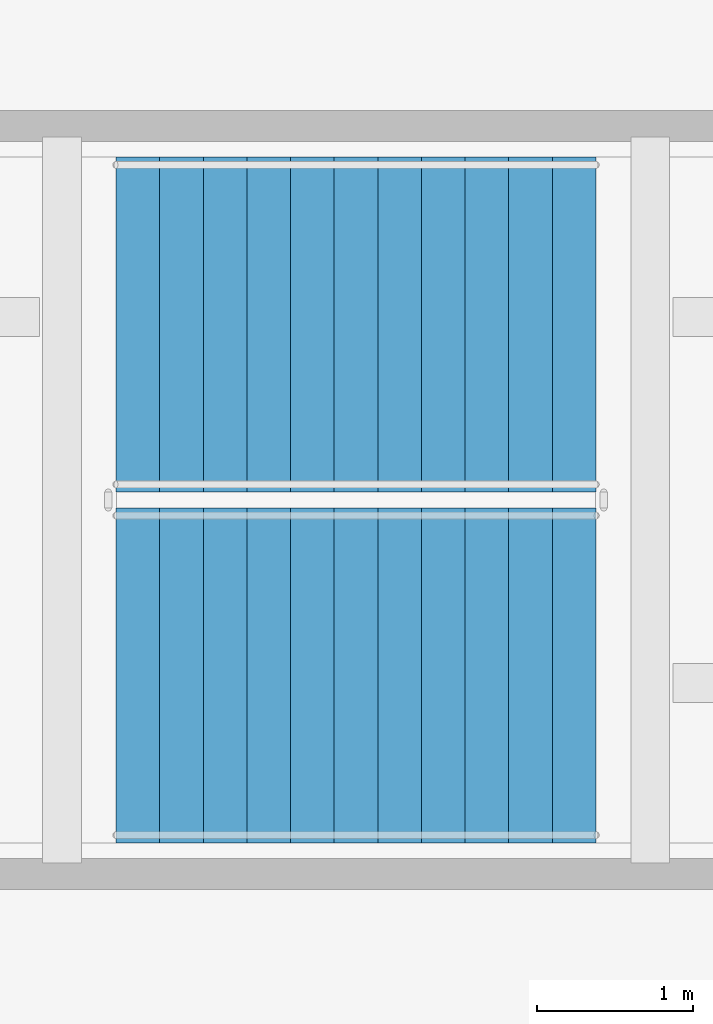
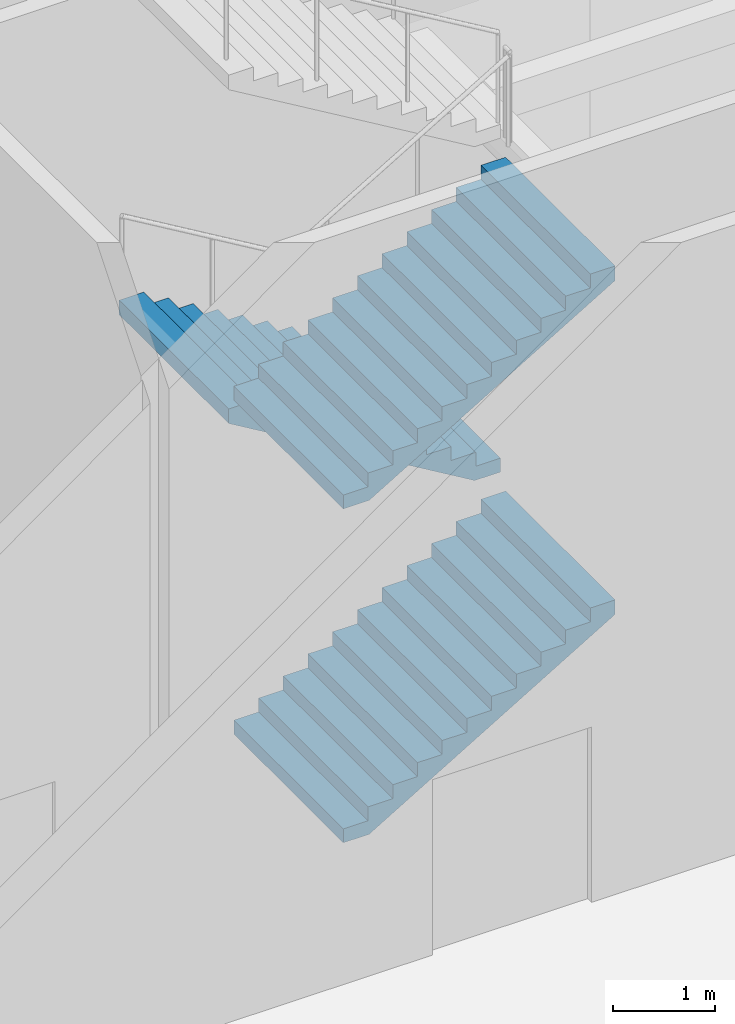
# One storey, part 21 of 30: 3 stair flights, 1 element without a shape of its own.
"""IFC4 building model written with IfcOpenShell, lengths in metres."""

from ifc_helpers import new_model, si_unit, direction, frame, origin, place, context, subcontext, project, spatial, triangles, material, type_object, element, aggregate, save


model = new_model("IFC4")

# Units and contexts
model_context = context("Model", 3, precision=1e-05, world=origin(), true_north=direction((0.0, 1.0)))
body_context = subcontext(model_context, "Body", "Model", "MODEL_VIEW")
ifc_project = project(units=[si_unit("LENGTHUNIT", "METRE"), si_unit("AREAUNIT", "SQUARE_METRE"), si_unit("VOLUMEUNIT", "CUBIC_METRE"), si_unit("PLANEANGLEUNIT", "RADIAN"), si_unit("MASSUNIT", "GRAM", prefix="KILO")], contexts=[model_context])

# Site, building, storey
site_placement = place(None, origin())
site = spatial("IfcSite", under=ifc_project, at=site_placement, CompositionType="ELEMENT")
building_placement = place(site_placement, origin())
building = spatial("IfcBuilding", under=site, at=building_placement, Name="Verdalira Terraces Hotel", CompositionType="ELEMENT")
storey_placement = place(building_placement, origin())
storey = spatial("IfcBuildingStorey", under=building, at=storey_placement, Name="L00", CompositionType="ELEMENT", Elevation=0.0)

# Stair, stair flights
ifc_material_1 = material(Name="Concrete C40", Category="concrete")
stair_type = type_object("IfcStairType", Name="Podium stair 48 risers", PredefinedType="HALF_TURN_STAIR", material=ifc_material_1)
stair_placement = place(storey_placement, origin())
stair = element("IfcStair", 1, at=stair_placement, inside=storey, type_object=stair_type, Name="L00 Exit stair PS1", PredefinedType="HALF_TURN_STAIR")
ifc_material_2 = material(Name="Concrete C40", Category="concrete")
stair_flight_type = type_object("IfcStairFlightType", Name="Podium stair flight 48 risers", PredefinedType="STRAIGHT", material=ifc_material_2)
stair_flight_1_placement = place(storey_placement, frame((-0.75, 37.675049, 0.0), z_axis=(0.0, 0.0, 1.0), x_axis=(1.0, 0.0, 0.0)))
stair_flight_1 = element("IfcStairFlight", 2, at=stair_flight_1_placement, type_object=stair_flight_type, Name="PS1 flight 1", NumberOfRisers=12, NumberOfTreads=11, PredefinedType="STRAIGHT", RiserHeight=0.166666667, TreadLength=0.28, context=body_context, shape_type="Tessellation", body=[
    triangles([(0.0, 1.074951, 0.0), (0.292969, 1.074951, 0.0), (3.080078, 1.074951, 1.658936), (0.0, -1.074951, 0.0), (0.292969, -1.074951, 0.0), (3.080078, -1.074951, 1.658936), (3.080078, 1.074951, 1.833252), (2.800049, 1.074951, 1.833252), (3.080078, -1.074951, 1.833252), (2.800049, -1.074951, 1.833252), (2.800049, 1.074951, 1.666748), (2.800049, -1.074951, 1.666748), (2.52002, 1.074951, 1.666748), (2.52002, -1.074951, 1.666748), (2.52002, 1.074951, 1.5), (2.52002, -1.074951, 1.5), (2.23999, 1.074951, 1.5), (2.23999, 1.074951, 1.333252), (2.23999, -1.074951, 1.5), (2.23999, -1.074951, 1.333252), (1.959961, 1.074951, 1.333252), (1.959961, 1.074951, 1.166748), (1.959961, -1.074951, 1.333252), (1.959961, -1.074951, 1.166748), (1.679932, 1.074951, 1.166748), (1.679932, 1.074951, 1.0), (1.679932, -1.074951, 1.166748), (1.679932, -1.074951, 1.0), (1.399902, 1.074951, 1.0), (1.399902, 1.074951, 0.833252), (1.399902, -1.074951, 1.0), (1.399902, -1.074951, 0.833252), (1.120117, 1.074951, 0.833252), (1.120117, 1.074951, 0.666748), (1.120117, -1.074951, 0.833252), (1.120117, -1.074951, 0.666748), (0.840088, 1.074951, 0.666748), (0.840088, 1.074951, 0.5), (0.840088, -1.074951, 0.666748), (0.840088, -1.074951, 0.5), (0.560059, 1.074951, 0.5), (0.560059, 1.074951, 0.333252), (0.560059, -1.074951, 0.5), (0.560059, -1.074951, 0.333252), (0.280029, 1.074951, 0.333252), (0.280029, 1.074951, 0.166748), (0.280029, -1.074951, 0.333252), (0.280029, -1.074951, 0.166748), (0.0, 1.074951, 0.166748), (0.0, -1.074951, 0.166748), (0.0, -1.007767, 0.0), (0.0, -1.007767, 0.166748), (0.0, -0.940582, 0.0), (0.0, -0.940582, 0.166748), (0.0, -0.873398, 0.0), (0.0, -0.873398, 0.166748), (0.0, -0.806213, 0.0), (0.0, -0.806213, 0.166748), (0.0, -0.739029, 0.0), (0.0, -0.739029, 0.166748), (0.0, -0.671844, 0.0), (0.0, -0.671844, 0.166748), (0.0, -0.60466, 0.0), (0.0, -0.60466, 0.166748), (0.0, -0.537476, 0.0), (0.0, -0.537476, 0.166748), (0.0, -0.470291, 0.0), (0.0, -0.470291, 0.166748), (0.0, -0.403107, 0.0), (0.0, -0.403107, 0.166748), (0.0, -0.335922, 0.0), (0.0, -0.335922, 0.166748), (0.0, -0.268738, 0.0), (0.0, -0.268738, 0.166748), (0.0, -0.201553, 0.0), (0.0, -0.201553, 0.166748), (0.0, -0.134369, 0.0), (0.0, -0.134369, 0.166748), (0.0, -0.067184, 0.0), (0.0, -0.067184, 0.166748), (0.0, 0.0, 0.0), (0.0, 0.0, 0.166748), (0.0, 0.067184, 0.0), (0.0, 0.067184, 0.166748), (0.0, 0.134369, 0.0), (0.0, 0.134369, 0.166748), (0.0, 0.201553, 0.0), (0.0, 0.201553, 0.166748), (0.0, 0.268738, 0.0), (0.0, 0.268738, 0.166748), (0.0, 0.335922, 0.0), (0.0, 0.335922, 0.166748), (0.0, 0.403107, 0.0), (0.0, 0.403107, 0.166748), (0.0, 0.470291, 0.0), (0.0, 0.470291, 0.166748), (0.0, 0.537476, 0.0), (0.0, 0.537476, 0.166748), (0.0, 0.60466, 0.0), (0.0, 0.60466, 0.166748), (0.0, 0.671844, 0.0), (0.0, 0.671844, 0.166748), (0.0, 0.739029, 0.0), (0.0, 0.739029, 0.166748), (0.0, 0.806213, 0.0), (0.0, 0.806213, 0.166748), (0.0, 0.873398, 0.0), (0.0, 0.873398, 0.166748), (0.0, 0.940582, 0.0), (0.0, 0.940582, 0.166748), (0.0, 1.007767, 0.0), (0.0, 1.007767, 0.166748), (3.080078, -1.007767, 1.833252), (3.080078, -0.940582, 1.833252), (3.080078, -0.873398, 1.833252), (3.080078, -0.806213, 1.833252), (3.080078, -0.739029, 1.833252), (3.080078, -0.671844, 1.833252), (3.080078, -0.60466, 1.833252), (3.080078, -0.537476, 1.833252), (3.080078, -0.470291, 1.833252), (3.080078, -0.403107, 1.833252), (3.080078, -0.335922, 1.833252), (3.080078, -0.268738, 1.833252), (3.080078, -0.201553, 1.833252), (3.080078, -0.134369, 1.833252), (3.080078, -0.067184, 1.833252), (3.080078, 0.0, 1.833252), (3.080078, 0.067184, 1.833252), (3.080078, 0.134369, 1.833252), (3.080078, 0.201553, 1.833252), (3.080078, 0.268738, 1.833252), (3.080078, 0.335922, 1.833252), (3.080078, 0.403107, 1.833252), (3.080078, 0.470291, 1.833252), (3.080078, 0.537476, 1.833252), (3.080078, 0.60466, 1.833252), (3.080078, 0.671844, 1.833252), (3.080078, 0.739029, 1.833252), (3.080078, 0.806213, 1.833252), (3.080078, 0.873398, 1.833252), (3.080078, 0.940582, 1.833252), (3.080078, 1.007767, 1.833252), (3.080078, -1.007767, 1.658936), (3.080078, -0.940582, 1.658936), (3.080078, -0.873398, 1.658936), (3.080078, -0.806213, 1.658936), (3.080078, -0.739029, 1.658936), (3.080078, -0.671844, 1.658936), (3.080078, -0.60466, 1.658936), (3.080078, -0.537476, 1.658936), (3.080078, -0.470291, 1.658936), (3.080078, -0.403107, 1.658936), (3.080078, -0.335922, 1.658936), (3.080078, -0.268738, 1.658936), (3.080078, -0.201553, 1.658936), (3.080078, -0.134369, 1.658936), (3.080078, -0.067184, 1.658936), (3.080078, 0.0, 1.658936), (3.080078, 0.067184, 1.658936), (3.080078, 0.134369, 1.658936), (3.080078, 0.201553, 1.658936), (3.080078, 0.268738, 1.658936), (3.080078, 0.335922, 1.658936), (3.080078, 0.403107, 1.658936), (3.080078, 0.470291, 1.658936), (3.080078, 0.537476, 1.658936), (3.080078, 0.60466, 1.658936), (3.080078, 0.671844, 1.658936), (3.080078, 0.739029, 1.658936), (3.080078, 0.806213, 1.658936), (3.080078, 0.873398, 1.658936), (3.080078, 0.940582, 1.658936), (3.080078, 1.007767, 1.658936)], [[1, 3, 2], [4, 5, 6], [3, 8, 7], [6, 9, 10], [3, 11, 8], [6, 10, 12], [3, 13, 11], [6, 12, 14], [3, 15, 13], [6, 14, 16], [15, 18, 17], [16, 19, 20], [3, 18, 15], [6, 16, 20], [18, 22, 21], [20, 23, 24], [3, 22, 18], [6, 20, 24], [22, 26, 25], [24, 27, 28], [3, 26, 22], [6, 24, 28], [26, 30, 29], [28, 31, 32], [3, 30, 26], [6, 28, 32], [30, 34, 33], [32, 35, 36], [3, 34, 30], [6, 32, 36], [34, 38, 37], [36, 39, 40], [3, 38, 34], [6, 36, 40], [38, 42, 41], [40, 43, 44], [3, 42, 38], [6, 40, 44], [1, 42, 3], [4, 6, 44], [42, 46, 45], [44, 47, 48], [1, 46, 42], [4, 44, 48], [46, 1, 49], [48, 50, 4], [4, 52, 51], [4, 50, 52], [51, 54, 53], [51, 52, 54], [53, 56, 55], [53, 54, 56], [55, 58, 57], [55, 56, 58], [57, 60, 59], [57, 58, 60], [59, 62, 61], [59, 60, 62], [61, 64, 63], [61, 62, 64], [63, 66, 65], [63, 64, 66], [65, 68, 67], [65, 66, 68], [67, 70, 69], [67, 68, 70], [69, 72, 71], [69, 70, 72], [71, 74, 73], [71, 72, 74], [73, 76, 75], [73, 74, 76], [75, 78, 77], [75, 76, 78], [77, 80, 79], [77, 78, 80], [79, 82, 81], [79, 80, 82], [81, 84, 83], [81, 82, 84], [83, 86, 85], [83, 84, 86], [85, 88, 87], [85, 86, 88], [87, 90, 89], [87, 88, 90], [89, 92, 91], [89, 90, 92], [91, 94, 93], [91, 92, 94], [93, 96, 95], [93, 94, 96], [95, 98, 97], [95, 96, 98], [97, 100, 99], [97, 98, 100], [99, 102, 101], [99, 100, 102], [101, 104, 103], [101, 102, 104], [103, 106, 105], [103, 104, 106], [105, 108, 107], [105, 106, 108], [107, 110, 109], [107, 108, 110], [109, 112, 111], [109, 110, 112], [111, 49, 1], [111, 112, 49], [50, 48, 52], [52, 48, 54], [54, 48, 56], [56, 48, 58], [58, 48, 60], [60, 48, 62], [62, 48, 64], [64, 48, 66], [66, 48, 68], [68, 48, 70], [70, 48, 72], [72, 48, 74], [74, 48, 76], [76, 48, 78], [78, 48, 80], [80, 48, 82], [82, 48, 84], [84, 48, 86], [86, 48, 88], [88, 48, 90], [90, 48, 92], [92, 48, 94], [94, 48, 96], [96, 48, 98], [98, 48, 100], [100, 48, 102], [102, 48, 104], [104, 48, 106], [106, 48, 108], [108, 48, 110], [110, 48, 112], [112, 48, 49], [49, 48, 46], [48, 45, 46], [48, 47, 45], [47, 42, 45], [47, 44, 42], [44, 41, 42], [44, 43, 41], [43, 38, 41], [43, 40, 38], [40, 37, 38], [40, 39, 37], [39, 34, 37], [39, 36, 34], [36, 33, 34], [36, 35, 33], [35, 30, 33], [35, 32, 30], [32, 29, 30], [32, 31, 29], [31, 26, 29], [31, 28, 26], [28, 25, 26], [28, 27, 25], [27, 22, 25], [27, 24, 22], [24, 21, 22], [24, 23, 21], [23, 18, 21], [23, 20, 18], [20, 17, 18], [20, 19, 17], [19, 15, 17], [19, 16, 15], [16, 13, 15], [16, 14, 13], [14, 11, 13], [14, 12, 11], [12, 8, 11], [12, 10, 8], [9, 113, 10], [113, 114, 10], [114, 115, 10], [115, 116, 10], [116, 117, 10], [117, 118, 10], [118, 119, 10], [119, 120, 10], [120, 121, 10], [121, 122, 10], [122, 123, 10], [123, 124, 10], [124, 125, 10], [125, 126, 10], [126, 127, 10], [127, 128, 10], [128, 129, 10], [129, 130, 10], [130, 131, 10], [131, 132, 10], [132, 133, 10], [133, 134, 10], [134, 135, 10], [135, 136, 10], [136, 137, 10], [137, 138, 10], [138, 139, 10], [139, 140, 10], [140, 141, 10], [141, 142, 10], [142, 143, 10], [143, 7, 10], [7, 8, 10], [9, 144, 113], [9, 6, 144], [113, 145, 114], [113, 144, 145], [114, 146, 115], [114, 145, 146], [115, 147, 116], [115, 146, 147], [116, 148, 117], [116, 147, 148], [117, 149, 118], [117, 148, 149], [118, 150, 119], [118, 149, 150], [119, 151, 120], [119, 150, 151], [120, 152, 121], [120, 151, 152], [121, 153, 122], [121, 152, 153], [122, 154, 123], [122, 153, 154], [123, 155, 124], [123, 154, 155], [124, 156, 125], [124, 155, 156], [125, 157, 126], [125, 156, 157], [126, 158, 127], [126, 157, 158], [127, 159, 128], [127, 158, 159], [128, 160, 129], [128, 159, 160], [129, 161, 130], [129, 160, 161], [130, 162, 131], [130, 161, 162], [131, 163, 132], [131, 162, 163], [132, 164, 133], [132, 163, 164], [133, 165, 134], [133, 164, 165], [134, 166, 135], [134, 165, 166], [135, 167, 136], [135, 166, 167], [136, 168, 137], [136, 167, 168], [137, 169, 138], [137, 168, 169], [138, 170, 139], [138, 169, 170], [139, 171, 140], [139, 170, 171], [140, 172, 141], [140, 171, 172], [141, 173, 142], [141, 172, 173], [142, 174, 143], [142, 173, 174], [143, 3, 7], [143, 174, 3], [6, 5, 144], [144, 5, 145], [145, 5, 146], [146, 5, 147], [147, 5, 148], [148, 5, 149], [149, 5, 150], [150, 5, 151], [151, 5, 152], [152, 5, 153], [153, 5, 154], [154, 5, 155], [155, 5, 156], [156, 5, 157], [157, 5, 158], [158, 5, 159], [159, 5, 160], [160, 5, 161], [161, 5, 162], [162, 5, 163], [163, 5, 164], [164, 5, 165], [165, 5, 166], [166, 5, 167], [167, 5, 168], [168, 5, 169], [169, 5, 170], [170, 5, 171], [171, 5, 172], [172, 5, 173], [173, 5, 174], [174, 5, 3], [3, 5, 2], [4, 51, 5], [51, 53, 5], [53, 55, 5], [55, 57, 5], [57, 59, 5], [59, 61, 5], [61, 63, 5], [63, 65, 5], [65, 67, 5], [67, 69, 5], [69, 71, 5], [71, 73, 5], [73, 75, 5], [75, 77, 5], [77, 79, 5], [79, 81, 5], [81, 83, 5], [83, 85, 5], [85, 87, 5], [87, 89, 5], [89, 91, 5], [91, 93, 5], [93, 95, 5], [95, 97, 5], [97, 99, 5], [99, 101, 5], [101, 103, 5], [103, 105, 5], [105, 107, 5], [107, 109, 5], [109, 111, 5], [111, 1, 5], [1, 2, 5]], closed=True),
])
stair_flight_2_placement = place(storey_placement, frame((2.330078, 39.925049, 2.0), z_axis=(0.0, 0.0, 1.0), x_axis=(-1.0, 0.0, 0.0)))
stair_flight_2 = element("IfcStairFlight", 3, at=stair_flight_2_placement, type_object=stair_flight_type, Name="PS1 flight 2", NumberOfRisers=12, NumberOfTreads=11, PredefinedType="STRAIGHT", RiserHeight=0.166666667, TreadLength=0.28, context=body_context, shape_type="Tessellation", body=[
    triangles([(0.0, 1.074951, 0.0), (0.292969, 1.074951, 0.0), (3.080078, 1.074951, 1.658936), (0.0, -1.074951, 0.0), (0.292969, -1.074951, 0.0), (3.080078, -1.074951, 1.658936), (3.080078, 1.074951, 1.833252), (2.800049, 1.074951, 1.833252), (3.080078, -1.074951, 1.833252), (2.800049, -1.074951, 1.833252), (2.800049, 1.074951, 1.666748), (2.800049, -1.074951, 1.666748), (2.52002, 1.074951, 1.666748), (2.52002, -1.074951, 1.666748), (2.52002, 1.074951, 1.5), (2.52002, -1.074951, 1.5), (2.23999, 1.074951, 1.5), (2.23999, 1.074951, 1.333252), (2.23999, -1.074951, 1.5), (2.23999, -1.074951, 1.333252), (1.959961, 1.074951, 1.333252), (1.959961, 1.074951, 1.166748), (1.959961, -1.074951, 1.333252), (1.959961, -1.074951, 1.166748), (1.679932, 1.074951, 1.166748), (1.679932, 1.074951, 1.0), (1.679932, -1.074951, 1.166748), (1.679932, -1.074951, 1.0), (1.399902, 1.074951, 1.0), (1.399902, 1.074951, 0.833252), (1.399902, -1.074951, 1.0), (1.399902, -1.074951, 0.833252), (1.120117, 1.074951, 0.833252), (1.120117, 1.074951, 0.666748), (1.120117, -1.074951, 0.833252), (1.120117, -1.074951, 0.666748), (0.840088, 1.074951, 0.666748), (0.840088, 1.074951, 0.5), (0.840088, -1.074951, 0.666748), (0.840088, -1.074951, 0.5), (0.560059, 1.074951, 0.5), (0.560059, 1.074951, 0.333252), (0.560059, -1.074951, 0.5), (0.560059, -1.074951, 0.333252), (0.280029, 1.074951, 0.333252), (0.280029, 1.074951, 0.166748), (0.280029, -1.074951, 0.333252), (0.280029, -1.074951, 0.166748), (0.0, 1.074951, 0.166748), (0.0, -1.074951, 0.166748), (0.0, -1.007767, 0.0), (0.0, -1.007767, 0.166748), (0.0, -0.940582, 0.0), (0.0, -0.940582, 0.166748), (0.0, -0.873398, 0.0), (0.0, -0.873398, 0.166748), (0.0, -0.806213, 0.0), (0.0, -0.806213, 0.166748), (0.0, -0.739029, 0.0), (0.0, -0.739029, 0.166748), (0.0, -0.671844, 0.0), (0.0, -0.671844, 0.166748), (0.0, -0.60466, 0.0), (0.0, -0.60466, 0.166748), (0.0, -0.537476, 0.0), (0.0, -0.537476, 0.166748), (0.0, -0.470291, 0.0), (0.0, -0.470291, 0.166748), (0.0, -0.403107, 0.0), (0.0, -0.403107, 0.166748), (0.0, -0.335922, 0.0), (0.0, -0.335922, 0.166748), (0.0, -0.268738, 0.0), (0.0, -0.268738, 0.166748), (0.0, -0.201553, 0.0), (0.0, -0.201553, 0.166748), (0.0, -0.134369, 0.0), (0.0, -0.134369, 0.166748), (0.0, -0.067184, 0.0), (0.0, -0.067184, 0.166748), (0.0, 0.0, 0.0), (0.0, 0.0, 0.166748), (0.0, 0.067184, 0.0), (0.0, 0.067184, 0.166748), (0.0, 0.134369, 0.0), (0.0, 0.134369, 0.166748), (0.0, 0.201553, 0.0), (0.0, 0.201553, 0.166748), (0.0, 0.268738, 0.0), (0.0, 0.268738, 0.166748), (0.0, 0.335922, 0.0), (0.0, 0.335922, 0.166748), (0.0, 0.403107, 0.0), (0.0, 0.403107, 0.166748), (0.0, 0.470291, 0.0), (0.0, 0.470291, 0.166748), (0.0, 0.537476, 0.0), (0.0, 0.537476, 0.166748), (0.0, 0.60466, 0.0), (0.0, 0.60466, 0.166748), (0.0, 0.671844, 0.0), (0.0, 0.671844, 0.166748), (0.0, 0.739029, 0.0), (0.0, 0.739029, 0.166748), (0.0, 0.806213, 0.0), (0.0, 0.806213, 0.166748), (0.0, 0.873398, 0.0), (0.0, 0.873398, 0.166748), (0.0, 0.940582, 0.0), (0.0, 0.940582, 0.166748), (0.0, 1.007767, 0.0), (0.0, 1.007767, 0.166748), (3.080078, -1.007767, 1.833252), (3.080078, -0.940582, 1.833252), (3.080078, -0.873398, 1.833252), (3.080078, -0.806213, 1.833252), (3.080078, -0.739029, 1.833252), (3.080078, -0.671844, 1.833252), (3.080078, -0.60466, 1.833252), (3.080078, -0.537476, 1.833252), (3.080078, -0.470291, 1.833252), (3.080078, -0.403107, 1.833252), (3.080078, -0.335922, 1.833252), (3.080078, -0.268738, 1.833252), (3.080078, -0.201553, 1.833252), (3.080078, -0.134369, 1.833252), (3.080078, -0.067184, 1.833252), (3.080078, 0.0, 1.833252), (3.080078, 0.067184, 1.833252), (3.080078, 0.134369, 1.833252), (3.080078, 0.201553, 1.833252), (3.080078, 0.268738, 1.833252), (3.080078, 0.335922, 1.833252), (3.080078, 0.403107, 1.833252), (3.080078, 0.470291, 1.833252), (3.080078, 0.537476, 1.833252), (3.080078, 0.60466, 1.833252), (3.080078, 0.671844, 1.833252), (3.080078, 0.739029, 1.833252), (3.080078, 0.806213, 1.833252), (3.080078, 0.873398, 1.833252), (3.080078, 0.940582, 1.833252), (3.080078, 1.007767, 1.833252), (3.080078, -1.007767, 1.658936), (3.080078, -0.940582, 1.658936), (3.080078, -0.873398, 1.658936), (3.080078, -0.806213, 1.658936), (3.080078, -0.739029, 1.658936), (3.080078, -0.671844, 1.658936), (3.080078, -0.60466, 1.658936), (3.080078, -0.537476, 1.658936), (3.080078, -0.470291, 1.658936), (3.080078, -0.403107, 1.658936), (3.080078, -0.335922, 1.658936), (3.080078, -0.268738, 1.658936), (3.080078, -0.201553, 1.658936), (3.080078, -0.134369, 1.658936), (3.080078, -0.067184, 1.658936), (3.080078, 0.0, 1.658936), (3.080078, 0.067184, 1.658936), (3.080078, 0.134369, 1.658936), (3.080078, 0.201553, 1.658936), (3.080078, 0.268738, 1.658936), (3.080078, 0.335922, 1.658936), (3.080078, 0.403107, 1.658936), (3.080078, 0.470291, 1.658936), (3.080078, 0.537476, 1.658936), (3.080078, 0.60466, 1.658936), (3.080078, 0.671844, 1.658936), (3.080078, 0.739029, 1.658936), (3.080078, 0.806213, 1.658936), (3.080078, 0.873398, 1.658936), (3.080078, 0.940582, 1.658936), (3.080078, 1.007767, 1.658936)], [[1, 3, 2], [4, 5, 6], [3, 8, 7], [6, 9, 10], [3, 11, 8], [6, 10, 12], [3, 13, 11], [6, 12, 14], [3, 15, 13], [6, 14, 16], [15, 18, 17], [16, 19, 20], [3, 18, 15], [6, 16, 20], [18, 22, 21], [20, 23, 24], [3, 22, 18], [6, 20, 24], [22, 26, 25], [24, 27, 28], [3, 26, 22], [6, 24, 28], [26, 30, 29], [28, 31, 32], [3, 30, 26], [6, 28, 32], [30, 34, 33], [32, 35, 36], [3, 34, 30], [6, 32, 36], [34, 38, 37], [36, 39, 40], [3, 38, 34], [6, 36, 40], [38, 42, 41], [40, 43, 44], [3, 42, 38], [6, 40, 44], [1, 42, 3], [4, 6, 44], [42, 46, 45], [44, 47, 48], [1, 46, 42], [4, 44, 48], [46, 1, 49], [48, 50, 4], [4, 52, 51], [4, 50, 52], [51, 54, 53], [51, 52, 54], [53, 56, 55], [53, 54, 56], [55, 58, 57], [55, 56, 58], [57, 60, 59], [57, 58, 60], [59, 62, 61], [59, 60, 62], [61, 64, 63], [61, 62, 64], [63, 66, 65], [63, 64, 66], [65, 68, 67], [65, 66, 68], [67, 70, 69], [67, 68, 70], [69, 72, 71], [69, 70, 72], [71, 74, 73], [71, 72, 74], [73, 76, 75], [73, 74, 76], [75, 78, 77], [75, 76, 78], [77, 80, 79], [77, 78, 80], [79, 82, 81], [79, 80, 82], [81, 84, 83], [81, 82, 84], [83, 86, 85], [83, 84, 86], [85, 88, 87], [85, 86, 88], [87, 90, 89], [87, 88, 90], [89, 92, 91], [89, 90, 92], [91, 94, 93], [91, 92, 94], [93, 96, 95], [93, 94, 96], [95, 98, 97], [95, 96, 98], [97, 100, 99], [97, 98, 100], [99, 102, 101], [99, 100, 102], [101, 104, 103], [101, 102, 104], [103, 106, 105], [103, 104, 106], [105, 108, 107], [105, 106, 108], [107, 110, 109], [107, 108, 110], [109, 112, 111], [109, 110, 112], [111, 49, 1], [111, 112, 49], [50, 48, 52], [52, 48, 54], [54, 48, 56], [56, 48, 58], [58, 48, 60], [60, 48, 62], [62, 48, 64], [64, 48, 66], [66, 48, 68], [68, 48, 70], [70, 48, 72], [72, 48, 74], [74, 48, 76], [76, 48, 78], [78, 48, 80], [80, 48, 82], [82, 48, 84], [84, 48, 86], [86, 48, 88], [88, 48, 90], [90, 48, 92], [92, 48, 94], [94, 48, 96], [96, 48, 98], [98, 48, 100], [100, 48, 102], [102, 48, 104], [104, 48, 106], [106, 48, 108], [108, 48, 110], [110, 48, 112], [112, 48, 49], [49, 48, 46], [48, 45, 46], [48, 47, 45], [47, 42, 45], [47, 44, 42], [44, 41, 42], [44, 43, 41], [43, 38, 41], [43, 40, 38], [40, 37, 38], [40, 39, 37], [39, 34, 37], [39, 36, 34], [36, 33, 34], [36, 35, 33], [35, 30, 33], [35, 32, 30], [32, 29, 30], [32, 31, 29], [31, 26, 29], [31, 28, 26], [28, 25, 26], [28, 27, 25], [27, 22, 25], [27, 24, 22], [24, 21, 22], [24, 23, 21], [23, 18, 21], [23, 20, 18], [20, 17, 18], [20, 19, 17], [19, 15, 17], [19, 16, 15], [16, 13, 15], [16, 14, 13], [14, 11, 13], [14, 12, 11], [12, 8, 11], [12, 10, 8], [9, 113, 10], [113, 114, 10], [114, 115, 10], [115, 116, 10], [116, 117, 10], [117, 118, 10], [118, 119, 10], [119, 120, 10], [120, 121, 10], [121, 122, 10], [122, 123, 10], [123, 124, 10], [124, 125, 10], [125, 126, 10], [126, 127, 10], [127, 128, 10], [128, 129, 10], [129, 130, 10], [130, 131, 10], [131, 132, 10], [132, 133, 10], [133, 134, 10], [134, 135, 10], [135, 136, 10], [136, 137, 10], [137, 138, 10], [138, 139, 10], [139, 140, 10], [140, 141, 10], [141, 142, 10], [142, 143, 10], [143, 7, 10], [7, 8, 10], [9, 144, 113], [9, 6, 144], [113, 145, 114], [113, 144, 145], [114, 146, 115], [114, 145, 146], [115, 147, 116], [115, 146, 147], [116, 148, 117], [116, 147, 148], [117, 149, 118], [117, 148, 149], [118, 150, 119], [118, 149, 150], [119, 151, 120], [119, 150, 151], [120, 152, 121], [120, 151, 152], [121, 153, 122], [121, 152, 153], [122, 154, 123], [122, 153, 154], [123, 155, 124], [123, 154, 155], [124, 156, 125], [124, 155, 156], [125, 157, 126], [125, 156, 157], [126, 158, 127], [126, 157, 158], [127, 159, 128], [127, 158, 159], [128, 160, 129], [128, 159, 160], [129, 161, 130], [129, 160, 161], [130, 162, 131], [130, 161, 162], [131, 163, 132], [131, 162, 163], [132, 164, 133], [132, 163, 164], [133, 165, 134], [133, 164, 165], [134, 166, 135], [134, 165, 166], [135, 167, 136], [135, 166, 167], [136, 168, 137], [136, 167, 168], [137, 169, 138], [137, 168, 169], [138, 170, 139], [138, 169, 170], [139, 171, 140], [139, 170, 171], [140, 172, 141], [140, 171, 172], [141, 173, 142], [141, 172, 173], [142, 174, 143], [142, 173, 174], [143, 3, 7], [143, 174, 3], [6, 5, 144], [144, 5, 145], [145, 5, 146], [146, 5, 147], [147, 5, 148], [148, 5, 149], [149, 5, 150], [150, 5, 151], [151, 5, 152], [152, 5, 153], [153, 5, 154], [154, 5, 155], [155, 5, 156], [156, 5, 157], [157, 5, 158], [158, 5, 159], [159, 5, 160], [160, 5, 161], [161, 5, 162], [162, 5, 163], [163, 5, 164], [164, 5, 165], [165, 5, 166], [166, 5, 167], [167, 5, 168], [168, 5, 169], [169, 5, 170], [170, 5, 171], [171, 5, 172], [172, 5, 173], [173, 5, 174], [174, 5, 3], [3, 5, 2], [4, 51, 5], [51, 53, 5], [53, 55, 5], [55, 57, 5], [57, 59, 5], [59, 61, 5], [61, 63, 5], [63, 65, 5], [65, 67, 5], [67, 69, 5], [69, 71, 5], [71, 73, 5], [73, 75, 5], [75, 77, 5], [77, 79, 5], [79, 81, 5], [81, 83, 5], [83, 85, 5], [85, 87, 5], [87, 89, 5], [89, 91, 5], [91, 93, 5], [93, 95, 5], [95, 97, 5], [97, 99, 5], [99, 101, 5], [101, 103, 5], [103, 105, 5], [105, 107, 5], [107, 109, 5], [109, 111, 5], [111, 1, 5], [1, 2, 5]], closed=True),
])
stair_flight_3_placement = place(storey_placement, frame((-0.75, 37.675049, 4.0), z_axis=(0.0, 0.0, 1.0), x_axis=(1.0, 0.0, 0.0)))
stair_flight_3 = element("IfcStairFlight", 4, at=stair_flight_3_placement, type_object=stair_flight_type, Name="PS1 flight 3", NumberOfRisers=12, NumberOfTreads=11, PredefinedType="STRAIGHT", RiserHeight=0.166666667, TreadLength=0.28, context=body_context, shape_type="Tessellation", body=[
    triangles([(0.0, 1.074951, 0.0), (0.292969, 1.074951, 0.0), (3.080078, 1.074951, 1.658936), (0.0, -1.074951, 0.0), (0.292969, -1.074951, 0.0), (3.080078, -1.074951, 1.658936), (3.080078, 1.074951, 1.833252), (2.800049, 1.074951, 1.833252), (3.080078, -1.074951, 1.833252), (2.800049, -1.074951, 1.833252), (2.800049, 1.074951, 1.666748), (2.800049, -1.074951, 1.666748), (2.52002, 1.074951, 1.666748), (2.52002, -1.074951, 1.666748), (2.52002, 1.074951, 1.5), (2.52002, -1.074951, 1.5), (2.23999, 1.074951, 1.5), (2.23999, 1.074951, 1.333252), (2.23999, -1.074951, 1.5), (2.23999, -1.074951, 1.333252), (1.959961, 1.074951, 1.333252), (1.959961, 1.074951, 1.166748), (1.959961, -1.074951, 1.333252), (1.959961, -1.074951, 1.166748), (1.679932, 1.074951, 1.166748), (1.679932, 1.074951, 1.0), (1.679932, -1.074951, 1.166748), (1.679932, -1.074951, 1.0), (1.399902, 1.074951, 1.0), (1.399902, 1.074951, 0.833252), (1.399902, -1.074951, 1.0), (1.399902, -1.074951, 0.833252), (1.120117, 1.074951, 0.833252), (1.120117, 1.074951, 0.666748), (1.120117, -1.074951, 0.833252), (1.120117, -1.074951, 0.666748), (0.840088, 1.074951, 0.666748), (0.840088, 1.074951, 0.5), (0.840088, -1.074951, 0.666748), (0.840088, -1.074951, 0.5), (0.560059, 1.074951, 0.5), (0.560059, 1.074951, 0.333252), (0.560059, -1.074951, 0.5), (0.560059, -1.074951, 0.333252), (0.280029, 1.074951, 0.333252), (0.280029, 1.074951, 0.166748), (0.280029, -1.074951, 0.333252), (0.280029, -1.074951, 0.166748), (0.0, 1.074951, 0.166748), (0.0, -1.074951, 0.166748), (0.0, -1.007767, 0.0), (0.0, -1.007767, 0.166748), (0.0, -0.940582, 0.0), (0.0, -0.940582, 0.166748), (0.0, -0.873398, 0.0), (0.0, -0.873398, 0.166748), (0.0, -0.806213, 0.0), (0.0, -0.806213, 0.166748), (0.0, -0.739029, 0.0), (0.0, -0.739029, 0.166748), (0.0, -0.671844, 0.0), (0.0, -0.671844, 0.166748), (0.0, -0.60466, 0.0), (0.0, -0.60466, 0.166748), (0.0, -0.537476, 0.0), (0.0, -0.537476, 0.166748), (0.0, -0.470291, 0.0), (0.0, -0.470291, 0.166748), (0.0, -0.403107, 0.0), (0.0, -0.403107, 0.166748), (0.0, -0.335922, 0.0), (0.0, -0.335922, 0.166748), (0.0, -0.268738, 0.0), (0.0, -0.268738, 0.166748), (0.0, -0.201553, 0.0), (0.0, -0.201553, 0.166748), (0.0, -0.134369, 0.0), (0.0, -0.134369, 0.166748), (0.0, -0.067184, 0.0), (0.0, -0.067184, 0.166748), (0.0, 0.0, 0.0), (0.0, 0.0, 0.166748), (0.0, 0.067184, 0.0), (0.0, 0.067184, 0.166748), (0.0, 0.134369, 0.0), (0.0, 0.134369, 0.166748), (0.0, 0.201553, 0.0), (0.0, 0.201553, 0.166748), (0.0, 0.268738, 0.0), (0.0, 0.268738, 0.166748), (0.0, 0.335922, 0.0), (0.0, 0.335922, 0.166748), (0.0, 0.403107, 0.0), (0.0, 0.403107, 0.166748), (0.0, 0.470291, 0.0), (0.0, 0.470291, 0.166748), (0.0, 0.537476, 0.0), (0.0, 0.537476, 0.166748), (0.0, 0.60466, 0.0), (0.0, 0.60466, 0.166748), (0.0, 0.671844, 0.0), (0.0, 0.671844, 0.166748), (0.0, 0.739029, 0.0), (0.0, 0.739029, 0.166748), (0.0, 0.806213, 0.0), (0.0, 0.806213, 0.166748), (0.0, 0.873398, 0.0), (0.0, 0.873398, 0.166748), (0.0, 0.940582, 0.0), (0.0, 0.940582, 0.166748), (0.0, 1.007767, 0.0), (0.0, 1.007767, 0.166748), (3.080078, -1.007767, 1.833252), (3.080078, -0.940582, 1.833252), (3.080078, -0.873398, 1.833252), (3.080078, -0.806213, 1.833252), (3.080078, -0.739029, 1.833252), (3.080078, -0.671844, 1.833252), (3.080078, -0.60466, 1.833252), (3.080078, -0.537476, 1.833252), (3.080078, -0.470291, 1.833252), (3.080078, -0.403107, 1.833252), (3.080078, -0.335922, 1.833252), (3.080078, -0.268738, 1.833252), (3.080078, -0.201553, 1.833252), (3.080078, -0.134369, 1.833252), (3.080078, -0.067184, 1.833252), (3.080078, 0.0, 1.833252), (3.080078, 0.067184, 1.833252), (3.080078, 0.134369, 1.833252), (3.080078, 0.201553, 1.833252), (3.080078, 0.268738, 1.833252), (3.080078, 0.335922, 1.833252), (3.080078, 0.403107, 1.833252), (3.080078, 0.470291, 1.833252), (3.080078, 0.537476, 1.833252), (3.080078, 0.60466, 1.833252), (3.080078, 0.671844, 1.833252), (3.080078, 0.739029, 1.833252), (3.080078, 0.806213, 1.833252), (3.080078, 0.873398, 1.833252), (3.080078, 0.940582, 1.833252), (3.080078, 1.007767, 1.833252), (3.080078, -1.007767, 1.658936), (3.080078, -0.940582, 1.658936), (3.080078, -0.873398, 1.658936), (3.080078, -0.806213, 1.658936), (3.080078, -0.739029, 1.658936), (3.080078, -0.671844, 1.658936), (3.080078, -0.60466, 1.658936), (3.080078, -0.537476, 1.658936), (3.080078, -0.470291, 1.658936), (3.080078, -0.403107, 1.658936), (3.080078, -0.335922, 1.658936), (3.080078, -0.268738, 1.658936), (3.080078, -0.201553, 1.658936), (3.080078, -0.134369, 1.658936), (3.080078, -0.067184, 1.658936), (3.080078, 0.0, 1.658936), (3.080078, 0.067184, 1.658936), (3.080078, 0.134369, 1.658936), (3.080078, 0.201553, 1.658936), (3.080078, 0.268738, 1.658936), (3.080078, 0.335922, 1.658936), (3.080078, 0.403107, 1.658936), (3.080078, 0.470291, 1.658936), (3.080078, 0.537476, 1.658936), (3.080078, 0.60466, 1.658936), (3.080078, 0.671844, 1.658936), (3.080078, 0.739029, 1.658936), (3.080078, 0.806213, 1.658936), (3.080078, 0.873398, 1.658936), (3.080078, 0.940582, 1.658936), (3.080078, 1.007767, 1.658936)], [[1, 3, 2], [4, 5, 6], [3, 8, 7], [6, 9, 10], [3, 11, 8], [6, 10, 12], [3, 13, 11], [6, 12, 14], [3, 15, 13], [6, 14, 16], [15, 18, 17], [16, 19, 20], [3, 18, 15], [6, 16, 20], [18, 22, 21], [20, 23, 24], [3, 22, 18], [6, 20, 24], [22, 26, 25], [24, 27, 28], [3, 26, 22], [6, 24, 28], [26, 30, 29], [28, 31, 32], [3, 30, 26], [6, 28, 32], [30, 34, 33], [32, 35, 36], [3, 34, 30], [6, 32, 36], [34, 38, 37], [36, 39, 40], [3, 38, 34], [6, 36, 40], [38, 42, 41], [40, 43, 44], [3, 42, 38], [6, 40, 44], [1, 42, 3], [4, 6, 44], [42, 46, 45], [44, 47, 48], [1, 46, 42], [4, 44, 48], [46, 1, 49], [48, 50, 4], [4, 52, 51], [4, 50, 52], [51, 54, 53], [51, 52, 54], [53, 56, 55], [53, 54, 56], [55, 58, 57], [55, 56, 58], [57, 60, 59], [57, 58, 60], [59, 62, 61], [59, 60, 62], [61, 64, 63], [61, 62, 64], [63, 66, 65], [63, 64, 66], [65, 68, 67], [65, 66, 68], [67, 70, 69], [67, 68, 70], [69, 72, 71], [69, 70, 72], [71, 74, 73], [71, 72, 74], [73, 76, 75], [73, 74, 76], [75, 78, 77], [75, 76, 78], [77, 80, 79], [77, 78, 80], [79, 82, 81], [79, 80, 82], [81, 84, 83], [81, 82, 84], [83, 86, 85], [83, 84, 86], [85, 88, 87], [85, 86, 88], [87, 90, 89], [87, 88, 90], [89, 92, 91], [89, 90, 92], [91, 94, 93], [91, 92, 94], [93, 96, 95], [93, 94, 96], [95, 98, 97], [95, 96, 98], [97, 100, 99], [97, 98, 100], [99, 102, 101], [99, 100, 102], [101, 104, 103], [101, 102, 104], [103, 106, 105], [103, 104, 106], [105, 108, 107], [105, 106, 108], [107, 110, 109], [107, 108, 110], [109, 112, 111], [109, 110, 112], [111, 49, 1], [111, 112, 49], [50, 48, 52], [52, 48, 54], [54, 48, 56], [56, 48, 58], [58, 48, 60], [60, 48, 62], [62, 48, 64], [64, 48, 66], [66, 48, 68], [68, 48, 70], [70, 48, 72], [72, 48, 74], [74, 48, 76], [76, 48, 78], [78, 48, 80], [80, 48, 82], [82, 48, 84], [84, 48, 86], [86, 48, 88], [88, 48, 90], [90, 48, 92], [92, 48, 94], [94, 48, 96], [96, 48, 98], [98, 48, 100], [100, 48, 102], [102, 48, 104], [104, 48, 106], [106, 48, 108], [108, 48, 110], [110, 48, 112], [112, 48, 49], [49, 48, 46], [48, 45, 46], [48, 47, 45], [47, 42, 45], [47, 44, 42], [44, 41, 42], [44, 43, 41], [43, 38, 41], [43, 40, 38], [40, 37, 38], [40, 39, 37], [39, 34, 37], [39, 36, 34], [36, 33, 34], [36, 35, 33], [35, 30, 33], [35, 32, 30], [32, 29, 30], [32, 31, 29], [31, 26, 29], [31, 28, 26], [28, 25, 26], [28, 27, 25], [27, 22, 25], [27, 24, 22], [24, 21, 22], [24, 23, 21], [23, 18, 21], [23, 20, 18], [20, 17, 18], [20, 19, 17], [19, 15, 17], [19, 16, 15], [16, 13, 15], [16, 14, 13], [14, 11, 13], [14, 12, 11], [12, 8, 11], [12, 10, 8], [9, 113, 10], [113, 114, 10], [114, 115, 10], [115, 116, 10], [116, 117, 10], [117, 118, 10], [118, 119, 10], [119, 120, 10], [120, 121, 10], [121, 122, 10], [122, 123, 10], [123, 124, 10], [124, 125, 10], [125, 126, 10], [126, 127, 10], [127, 128, 10], [128, 129, 10], [129, 130, 10], [130, 131, 10], [131, 132, 10], [132, 133, 10], [133, 134, 10], [134, 135, 10], [135, 136, 10], [136, 137, 10], [137, 138, 10], [138, 139, 10], [139, 140, 10], [140, 141, 10], [141, 142, 10], [142, 143, 10], [143, 7, 10], [7, 8, 10], [9, 144, 113], [9, 6, 144], [113, 145, 114], [113, 144, 145], [114, 146, 115], [114, 145, 146], [115, 147, 116], [115, 146, 147], [116, 148, 117], [116, 147, 148], [117, 149, 118], [117, 148, 149], [118, 150, 119], [118, 149, 150], [119, 151, 120], [119, 150, 151], [120, 152, 121], [120, 151, 152], [121, 153, 122], [121, 152, 153], [122, 154, 123], [122, 153, 154], [123, 155, 124], [123, 154, 155], [124, 156, 125], [124, 155, 156], [125, 157, 126], [125, 156, 157], [126, 158, 127], [126, 157, 158], [127, 159, 128], [127, 158, 159], [128, 160, 129], [128, 159, 160], [129, 161, 130], [129, 160, 161], [130, 162, 131], [130, 161, 162], [131, 163, 132], [131, 162, 163], [132, 164, 133], [132, 163, 164], [133, 165, 134], [133, 164, 165], [134, 166, 135], [134, 165, 166], [135, 167, 136], [135, 166, 167], [136, 168, 137], [136, 167, 168], [137, 169, 138], [137, 168, 169], [138, 170, 139], [138, 169, 170], [139, 171, 140], [139, 170, 171], [140, 172, 141], [140, 171, 172], [141, 173, 142], [141, 172, 173], [142, 174, 143], [142, 173, 174], [143, 3, 7], [143, 174, 3], [6, 5, 144], [144, 5, 145], [145, 5, 146], [146, 5, 147], [147, 5, 148], [148, 5, 149], [149, 5, 150], [150, 5, 151], [151, 5, 152], [152, 5, 153], [153, 5, 154], [154, 5, 155], [155, 5, 156], [156, 5, 157], [157, 5, 158], [158, 5, 159], [159, 5, 160], [160, 5, 161], [161, 5, 162], [162, 5, 163], [163, 5, 164], [164, 5, 165], [165, 5, 166], [166, 5, 167], [167, 5, 168], [168, 5, 169], [169, 5, 170], [170, 5, 171], [171, 5, 172], [172, 5, 173], [173, 5, 174], [174, 5, 3], [3, 5, 2], [4, 51, 5], [51, 53, 5], [53, 55, 5], [55, 57, 5], [57, 59, 5], [59, 61, 5], [61, 63, 5], [63, 65, 5], [65, 67, 5], [67, 69, 5], [69, 71, 5], [71, 73, 5], [73, 75, 5], [75, 77, 5], [77, 79, 5], [79, 81, 5], [81, 83, 5], [83, 85, 5], [85, 87, 5], [87, 89, 5], [89, 91, 5], [91, 93, 5], [93, 95, 5], [95, 97, 5], [97, 99, 5], [99, 101, 5], [101, 103, 5], [103, 105, 5], [105, 107, 5], [107, 109, 5], [109, 111, 5], [111, 1, 5], [1, 2, 5]], closed=True),
])
aggregate(stair, [stair_flight_1, stair_flight_2, stair_flight_3])

save(model, "model.ifc")
